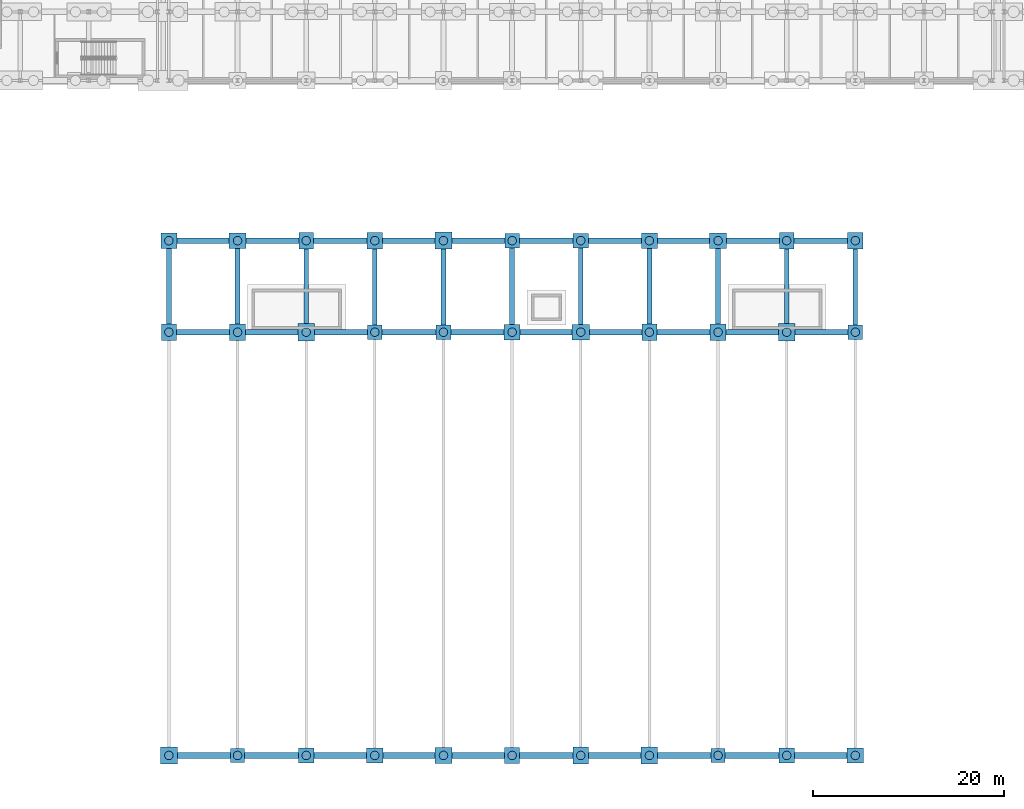
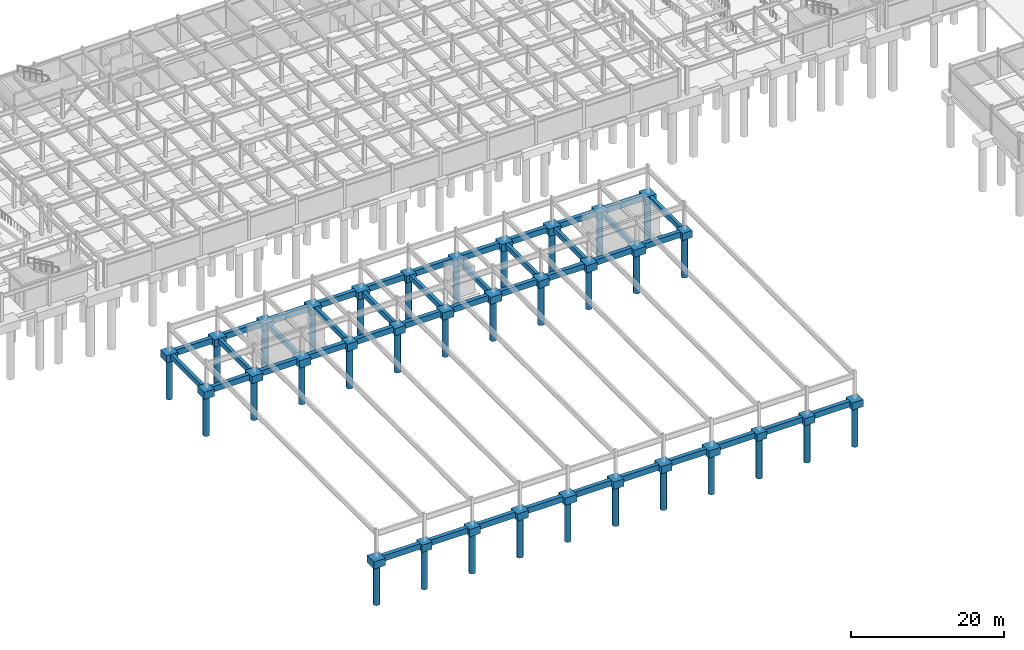
# One storey, part 1 of 54: 74 footings, 33 piles.
"""IFC4 building model written with IfcOpenShell, lengths in metres."""

from ifc_helpers import new_model, si_unit, direction, frame, origin, origin_2d, place, context, subcontext, project, spatial, polyline, rectangle, circle, outline, extrude, material, material_profile, profile_set, type_object, element, save


model = new_model("IFC4")

# Units and contexts
model_context = context("Model", 3, precision=1e-05, world=origin(), true_north=direction((0.0, 1.0)))
body_context = subcontext(model_context, "Body", "Model", "MODEL_VIEW")
ifc_project = project(units=[si_unit("LENGTHUNIT", "METRE"), si_unit("AREAUNIT", "SQUARE_METRE"), si_unit("VOLUMEUNIT", "CUBIC_METRE"), si_unit("PLANEANGLEUNIT", "RADIAN"), si_unit("MASSUNIT", "GRAM", prefix="KILO")], contexts=[model_context])

# Site, building, storey
site_placement = place(None, origin())
site = spatial("IfcSite", under=ifc_project, at=site_placement, CompositionType="ELEMENT")
building_placement = place(site_placement, origin())
building = spatial("IfcBuilding", under=site, at=building_placement, Name="Vaelcorin Mobility Hub", CompositionType="ELEMENT")
storey_placement = place(building_placement, frame((0.0, 0.0, -4.5)))
storey = spatial("IfcBuildingStorey", under=building, at=storey_placement, Name="B1", CompositionType="ELEMENT", Elevation=-4.5)

# Footings
ifc_material = material(Name="Concrete f'c 40 MPa", Category="concrete")
footing_type_1 = type_object("IfcFootingType", Name="FB-500X800", PredefinedType="FOOTING_BEAM", material=ifc_material)
footing_1_placement = place(storey_placement, frame((0.0, 0.0, -0.800048828125)))
element("IfcFooting", 1, at=footing_1_placement, inside=storey, type_object=footing_type_1, Name="Foundation Tie Beam FB-Y-273", PredefinedType="FOOTING_BEAM", context=body_context, shape_type="SweptSolid", body=[
    extrude(outline(polyline([(35.75, 51.25), (36.25, 51.25), (36.25, 59.199951171875), (35.75, 59.199951171875), (35.75, 51.25)])), origin(), (0.0, 0.0, 1.0), 0.800048828125),
])
footing_2_placement = place(storey_placement, frame((0.0, 0.0, -0.800048828125)))
element("IfcFooting", 2, at=footing_2_placement, inside=storey, type_object=footing_type_1, Name="Foundation Tie Beam FB-Y-280", PredefinedType="FOOTING_BEAM", context=body_context, shape_type="SweptSolid", body=[
    extrude(outline(polyline([(42.949951171875, 51.27490234375), (43.449951171875, 51.27490234375), (43.449951171875, 59.175048828125), (42.949951171875, 59.175048828125), (42.949951171875, 51.27490234375)])), origin(), (0.0, 0.0, 1.0), 0.800048828125),
])
footing_3_placement = place(storey_placement, frame((0.0, 0.0, -0.800048828125)))
element("IfcFooting", 3, at=footing_3_placement, inside=storey, type_object=footing_type_1, Name="Foundation Tie Beam FB-Y-287", PredefinedType="FOOTING_BEAM", context=body_context, shape_type="SweptSolid", body=[
    extrude(outline(polyline([(50.14990234375, 51.300048828125), (50.64990234375, 51.300048828125), (50.64990234375, 59.14990234375), (50.14990234375, 59.14990234375), (50.14990234375, 51.300048828125)])), origin(), (0.0, 0.0, 1.0), 0.800048828125),
])
footing_4_placement = place(storey_placement, frame((0.0, 0.0, -0.800048828125)))
element("IfcFooting", 4, at=footing_4_placement, inside=storey, type_object=footing_type_1, Name="Foundation Tie Beam FB-Y-294", PredefinedType="FOOTING_BEAM", context=body_context, shape_type="SweptSolid", body=[
    extrude(outline(polyline([(57.35009765625, 51.14990234375), (57.85009765625, 51.14990234375), (57.85009765625, 59.125), (57.35009765625, 59.125), (57.35009765625, 51.14990234375)])), origin(), (0.0, 0.0, 1.0), 0.800048828125),
])
footing_5_placement = place(storey_placement, frame((0.0, 0.0, -0.800048828125)))
element("IfcFooting", 5, at=footing_5_placement, inside=storey, type_object=footing_type_1, Name="Foundation Tie Beam FB-Y-301", PredefinedType="FOOTING_BEAM", context=body_context, shape_type="SweptSolid", body=[
    extrude(outline(polyline([(64.550048828125, 51.175048828125), (65.050048828125, 51.175048828125), (65.050048828125, 59.10009765625), (64.550048828125, 59.10009765625), (64.550048828125, 51.175048828125)])), origin(), (0.0, 0.0, 1.0), 0.800048828125),
])
footing_6_placement = place(storey_placement, frame((0.0, 0.0, -0.800048828125)))
element("IfcFooting", 6, at=footing_6_placement, inside=storey, type_object=footing_type_1, Name="Foundation Tie Beam FB-Y-308", PredefinedType="FOOTING_BEAM", context=body_context, shape_type="SweptSolid", body=[
    extrude(outline(polyline([(71.75, 51.199951171875), (72.25, 51.199951171875), (72.25, 59.25), (71.75, 59.25), (71.75, 51.199951171875)])), origin(), (0.0, 0.0, 1.0), 0.800048828125),
])
footing_7_placement = place(storey_placement, frame((0.0, 0.0, -0.800048828125)))
element("IfcFooting", 7, at=footing_7_placement, inside=storey, type_object=footing_type_1, Name="Foundation Tie Beam FB-Y-315", PredefinedType="FOOTING_BEAM", context=body_context, shape_type="SweptSolid", body=[
    extrude(outline(polyline([(78.949951171875, 51.22509765625), (79.449951171875, 51.22509765625), (79.449951171875, 59.22509765625), (78.949951171875, 59.22509765625), (78.949951171875, 51.22509765625)])), origin(), (0.0, 0.0, 1.0), 0.800048828125),
])
footing_8_placement = place(storey_placement, frame((0.0, 0.0, -0.800048828125)))
element("IfcFooting", 8, at=footing_8_placement, inside=storey, type_object=footing_type_1, Name="Foundation Tie Beam FB-Y-322", PredefinedType="FOOTING_BEAM", context=body_context, shape_type="SweptSolid", body=[
    extrude(outline(polyline([(86.14990234375, 51.25), (86.64990234375, 51.25), (86.64990234375, 59.199951171875), (86.14990234375, 59.199951171875), (86.14990234375, 51.25)])), origin(), (0.0, 0.0, 1.0), 0.800048828125),
])
footing_9_placement = place(storey_placement, frame((0.0, 0.0, -0.800048828125)))
element("IfcFooting", 9, at=footing_9_placement, inside=storey, type_object=footing_type_1, Name="Foundation Tie Beam FB-Y-329", PredefinedType="FOOTING_BEAM", context=body_context, shape_type="SweptSolid", body=[
    extrude(outline(polyline([(93.35009765625, 51.27490234375), (93.85009765625, 51.27490234375), (93.85009765625, 59.175048828125), (93.35009765625, 59.175048828125), (93.35009765625, 51.27490234375)])), origin(), (0.0, 0.0, 1.0), 0.800048828125),
])
footing_10_placement = place(storey_placement, frame((0.0, 0.0, -0.800048828125)))
element("IfcFooting", 10, at=footing_10_placement, inside=storey, type_object=footing_type_1, Name="Foundation Tie Beam FB-Y-336", PredefinedType="FOOTING_BEAM", context=body_context, shape_type="SweptSolid", body=[
    extrude(outline(polyline([(100.550048828125, 51.300048828125), (101.050048828125, 51.300048828125), (101.050048828125, 59.14990234375), (100.550048828125, 59.14990234375), (100.550048828125, 51.300048828125)])), origin(), (0.0, 0.0, 1.0), 0.800048828125),
])
footing_11_placement = place(storey_placement, frame((0.0, 0.0, -0.800048828125)))
element("IfcFooting", 11, at=footing_11_placement, inside=storey, type_object=footing_type_1, Name="Foundation Tie Beam FB-Y-343", PredefinedType="FOOTING_BEAM", context=body_context, shape_type="SweptSolid", body=[
    extrude(outline(polyline([(107.75, 51.14990234375), (108.25, 51.14990234375), (108.25, 59.125), (107.75, 59.125), (107.75, 51.14990234375)])), origin(), (0.0, 0.0, 1.0), 0.800048828125),
])
footing_type_2 = type_object("IfcFootingType", Name="FB-600X900", PredefinedType="FOOTING_BEAM", material=ifc_material)
footing_12_placement = place(storey_placement, frame((0.0, 0.0, -0.89990234375)))
element("IfcFooting", 12, at=footing_12_placement, inside=storey, type_object=footing_type_2, Name="Foundation Tie Beam FB-X-164", PredefinedType="FOOTING_BEAM", context=body_context, shape_type="SweptSolid", body=[
    extrude(outline(polyline([(36.875, 5.699951171875), (42.449951171875, 5.699951171875), (42.449951171875, 6.300048828125), (36.875, 6.300048828125), (36.875, 5.699951171875)])), origin(), (0.0, 0.0, 1.0), 0.89990234375),
])
footing_13_placement = place(storey_placement, frame((0.0, 0.0, -0.89990234375)))
element("IfcFooting", 13, at=footing_13_placement, inside=storey, type_object=footing_type_2, Name="Foundation Tie Beam FB-X-165", PredefinedType="FOOTING_BEAM", context=body_context, shape_type="SweptSolid", body=[
    extrude(outline(polyline([(43.949951171875, 5.699951171875), (49.60009765625, 5.699951171875), (49.60009765625, 6.300048828125), (43.949951171875, 6.300048828125), (43.949951171875, 5.699951171875)])), origin(), (0.0, 0.0, 1.0), 0.89990234375),
])
footing_14_placement = place(storey_placement, frame((0.0, 0.0, -0.89990234375)))
element("IfcFooting", 14, at=footing_14_placement, inside=storey, type_object=footing_type_2, Name="Foundation Tie Beam FB-X-166", PredefinedType="FOOTING_BEAM", context=body_context, shape_type="SweptSolid", body=[
    extrude(outline(polyline([(51.199951171875, 5.699951171875), (56.75, 5.699951171875), (56.75, 6.300048828125), (51.199951171875, 6.300048828125), (51.199951171875, 5.699951171875)])), origin(), (0.0, 0.0, 1.0), 0.89990234375),
])
footing_15_placement = place(storey_placement, frame((0.0, 0.0, -0.89990234375)))
element("IfcFooting", 15, at=footing_15_placement, inside=storey, type_object=footing_type_2, Name="Foundation Tie Beam FB-X-167", PredefinedType="FOOTING_BEAM", context=body_context, shape_type="SweptSolid", body=[
    extrude(outline(polyline([(58.449951171875, 5.699951171875), (63.89990234375, 5.699951171875), (63.89990234375, 6.300048828125), (58.449951171875, 6.300048828125), (58.449951171875, 5.699951171875)])), origin(), (0.0, 0.0, 1.0), 0.89990234375),
])
footing_16_placement = place(storey_placement, frame((0.0, 0.0, -0.89990234375)))
element("IfcFooting", 16, at=footing_16_placement, inside=storey, type_object=footing_type_2, Name="Foundation Tie Beam FB-X-168", PredefinedType="FOOTING_BEAM", context=body_context, shape_type="SweptSolid", body=[
    extrude(outline(polyline([(65.699951171875, 5.699951171875), (71.22509765625, 5.699951171875), (71.22509765625, 6.300048828125), (65.699951171875, 6.300048828125), (65.699951171875, 5.699951171875)])), origin(), (0.0, 0.0, 1.0), 0.89990234375),
])
footing_17_placement = place(storey_placement, frame((0.0, 0.0, -0.89990234375)))
element("IfcFooting", 17, at=footing_17_placement, inside=storey, type_object=footing_type_2, Name="Foundation Tie Beam FB-X-169", PredefinedType="FOOTING_BEAM", context=body_context, shape_type="SweptSolid", body=[
    extrude(outline(polyline([(72.77490234375, 5.699951171875), (78.375, 5.699951171875), (78.375, 6.300048828125), (72.77490234375, 6.300048828125), (72.77490234375, 5.699951171875)])), origin(), (0.0, 0.0, 1.0), 0.89990234375),
])
footing_18_placement = place(storey_placement, frame((0.0, 0.0, -0.89990234375)))
element("IfcFooting", 18, at=footing_18_placement, inside=storey, type_object=footing_type_2, Name="Foundation Tie Beam FB-X-170", PredefinedType="FOOTING_BEAM", context=body_context, shape_type="SweptSolid", body=[
    extrude(outline(polyline([(80.02490234375, 5.699951171875), (85.52490234375, 5.699951171875), (85.52490234375, 6.300048828125), (80.02490234375, 6.300048828125), (80.02490234375, 5.699951171875)])), origin(), (0.0, 0.0, 1.0), 0.89990234375),
])
footing_19_placement = place(storey_placement, frame((0.0, 0.0, -0.89990234375)))
element("IfcFooting", 19, at=footing_19_placement, inside=storey, type_object=footing_type_2, Name="Foundation Tie Beam FB-X-171", PredefinedType="FOOTING_BEAM", context=body_context, shape_type="SweptSolid", body=[
    extrude(outline(polyline([(87.27490234375, 5.699951171875), (92.85009765625, 5.699951171875), (92.85009765625, 6.300048828125), (87.27490234375, 6.300048828125), (87.27490234375, 5.699951171875)])), origin(), (0.0, 0.0, 1.0), 0.89990234375),
])
footing_20_placement = place(storey_placement, frame((0.0, 0.0, -0.89990234375)))
element("IfcFooting", 20, at=footing_20_placement, inside=storey, type_object=footing_type_2, Name="Foundation Tie Beam FB-X-172", PredefinedType="FOOTING_BEAM", context=body_context, shape_type="SweptSolid", body=[
    extrude(outline(polyline([(94.35009765625, 5.699951171875), (100.0, 5.699951171875), (100.0, 6.300048828125), (94.35009765625, 6.300048828125), (94.35009765625, 5.699951171875)])), origin(), (0.0, 0.0, 1.0), 0.89990234375),
])
footing_21_placement = place(storey_placement, frame((0.0, 0.0, -0.89990234375)))
element("IfcFooting", 21, at=footing_21_placement, inside=storey, type_object=footing_type_2, Name="Foundation Tie Beam FB-X-173", PredefinedType="FOOTING_BEAM", context=body_context, shape_type="SweptSolid", body=[
    extrude(outline(polyline([(101.60009765625, 5.699951171875), (107.14990234375, 5.699951171875), (107.14990234375, 6.300048828125), (101.60009765625, 6.300048828125), (101.60009765625, 5.699951171875)])), origin(), (0.0, 0.0, 1.0), 0.89990234375),
])
footing_22_placement = place(storey_placement, frame((0.0, 0.0, -0.89990234375)))
element("IfcFooting", 22, at=footing_22_placement, inside=storey, type_object=footing_type_2, Name="Foundation Tie Beam FB-X-181", PredefinedType="FOOTING_BEAM", context=body_context, shape_type="SweptSolid", body=[
    extrude(outline(polyline([(36.77490234375, 50.10009765625), (42.375, 50.10009765625), (42.375, 50.699951171875), (36.77490234375, 50.699951171875), (36.77490234375, 50.10009765625)])), origin(), (0.0, 0.0, 1.0), 0.89990234375),
])
footing_23_placement = place(storey_placement, frame((0.0, 0.0, -0.89990234375)))
element("IfcFooting", 23, at=footing_23_placement, inside=storey, type_object=footing_type_2, Name="Foundation Tie Beam FB-X-182", PredefinedType="FOOTING_BEAM", context=body_context, shape_type="SweptSolid", body=[
    extrude(outline(polyline([(44.02490234375, 50.10009765625), (49.52490234375, 50.10009765625), (49.52490234375, 50.699951171875), (44.02490234375, 50.699951171875), (44.02490234375, 50.10009765625)])), origin(), (0.0, 0.0, 1.0), 0.89990234375),
])
footing_24_placement = place(storey_placement, frame((0.0, 0.0, -0.89990234375)))
element("IfcFooting", 24, at=footing_24_placement, inside=storey, type_object=footing_type_2, Name="Foundation Tie Beam FB-X-183", PredefinedType="FOOTING_BEAM", context=body_context, shape_type="SweptSolid", body=[
    extrude(outline(polyline([(51.27490234375, 50.10009765625), (56.85009765625, 50.10009765625), (56.85009765625, 50.699951171875), (51.27490234375, 50.699951171875), (51.27490234375, 50.10009765625)])), origin(), (0.0, 0.0, 1.0), 0.89990234375),
])
footing_25_placement = place(storey_placement, frame((0.0, 0.0, -0.89990234375)))
element("IfcFooting", 25, at=footing_25_placement, inside=storey, type_object=footing_type_2, Name="Foundation Tie Beam FB-X-184", PredefinedType="FOOTING_BEAM", context=body_context, shape_type="SweptSolid", body=[
    extrude(outline(polyline([(58.35009765625, 50.10009765625), (64.0, 50.10009765625), (64.0, 50.699951171875), (58.35009765625, 50.699951171875), (58.35009765625, 50.10009765625)])), origin(), (0.0, 0.0, 1.0), 0.89990234375),
])
footing_26_placement = place(storey_placement, frame((0.0, 0.0, -0.89990234375)))
element("IfcFooting", 26, at=footing_26_placement, inside=storey, type_object=footing_type_2, Name="Foundation Tie Beam FB-X-185", PredefinedType="FOOTING_BEAM", context=body_context, shape_type="SweptSolid", body=[
    extrude(outline(polyline([(65.60009765625, 50.10009765625), (71.14990234375, 50.10009765625), (71.14990234375, 50.699951171875), (65.60009765625, 50.699951171875), (65.60009765625, 50.10009765625)])), origin(), (0.0, 0.0, 1.0), 0.89990234375),
])
footing_27_placement = place(storey_placement, frame((0.0, 0.0, -0.89990234375)))
element("IfcFooting", 27, at=footing_27_placement, inside=storey, type_object=footing_type_2, Name="Foundation Tie Beam FB-X-186", PredefinedType="FOOTING_BEAM", context=body_context, shape_type="SweptSolid", body=[
    extrude(outline(polyline([(72.85009765625, 50.10009765625), (78.300048828125, 50.10009765625), (78.300048828125, 50.699951171875), (72.85009765625, 50.699951171875), (72.85009765625, 50.10009765625)])), origin(), (0.0, 0.0, 1.0), 0.89990234375),
])
footing_28_placement = place(storey_placement, frame((0.0, 0.0, -0.89990234375)))
element("IfcFooting", 28, at=footing_28_placement, inside=storey, type_object=footing_type_2, Name="Foundation Tie Beam FB-X-187", PredefinedType="FOOTING_BEAM", context=body_context, shape_type="SweptSolid", body=[
    extrude(outline(polyline([(80.10009765625, 50.10009765625), (85.625, 50.10009765625), (85.625, 50.699951171875), (80.10009765625, 50.699951171875), (80.10009765625, 50.10009765625)])), origin(), (0.0, 0.0, 1.0), 0.89990234375),
])
footing_29_placement = place(storey_placement, frame((0.0, 0.0, -0.89990234375)))
element("IfcFooting", 29, at=footing_29_placement, inside=storey, type_object=footing_type_2, Name="Foundation Tie Beam FB-X-188", PredefinedType="FOOTING_BEAM", context=body_context, shape_type="SweptSolid", body=[
    extrude(outline(polyline([(87.175048828125, 50.10009765625), (92.77490234375, 50.10009765625), (92.77490234375, 50.699951171875), (87.175048828125, 50.699951171875), (87.175048828125, 50.10009765625)])), origin(), (0.0, 0.0, 1.0), 0.89990234375),
])
footing_30_placement = place(storey_placement, frame((0.0, 0.0, -0.89990234375)))
element("IfcFooting", 30, at=footing_30_placement, inside=storey, type_object=footing_type_2, Name="Foundation Tie Beam FB-X-189", PredefinedType="FOOTING_BEAM", context=body_context, shape_type="SweptSolid", body=[
    extrude(outline(polyline([(94.425048828125, 50.10009765625), (99.925048828125, 50.10009765625), (99.925048828125, 50.699951171875), (94.425048828125, 50.699951171875), (94.425048828125, 50.10009765625)])), origin(), (0.0, 0.0, 1.0), 0.89990234375),
])
footing_31_placement = place(storey_placement, frame((0.0, 0.0, -0.89990234375)))
element("IfcFooting", 31, at=footing_31_placement, inside=storey, type_object=footing_type_2, Name="Foundation Tie Beam FB-X-190", PredefinedType="FOOTING_BEAM", context=body_context, shape_type="SweptSolid", body=[
    extrude(outline(polyline([(101.675048828125, 50.10009765625), (107.25, 50.10009765625), (107.25, 50.699951171875), (101.675048828125, 50.699951171875), (101.675048828125, 50.10009765625)])), origin(), (0.0, 0.0, 1.0), 0.89990234375),
])
footing_32_placement = place(storey_placement, frame((0.0, 0.0, -0.89990234375)))
element("IfcFooting", 32, at=footing_32_placement, inside=storey, type_object=footing_type_2, Name="Foundation Tie Beam FB-X-191", PredefinedType="FOOTING_BEAM", context=body_context, shape_type="SweptSolid", body=[
    extrude(outline(polyline([(36.85009765625, 59.699951171875), (42.300048828125, 59.699951171875), (42.300048828125, 60.300048828125), (36.85009765625, 60.300048828125), (36.85009765625, 59.699951171875)])), origin(), (0.0, 0.0, 1.0), 0.89990234375),
])
footing_33_placement = place(storey_placement, frame((0.0, 0.0, -0.89990234375)))
element("IfcFooting", 33, at=footing_33_placement, inside=storey, type_object=footing_type_2, Name="Foundation Tie Beam FB-X-192", PredefinedType="FOOTING_BEAM", context=body_context, shape_type="SweptSolid", body=[
    extrude(outline(polyline([(44.10009765625, 59.699951171875), (49.625, 59.699951171875), (49.625, 60.300048828125), (44.10009765625, 60.300048828125), (44.10009765625, 59.699951171875)])), origin(), (0.0, 0.0, 1.0), 0.89990234375),
])
footing_34_placement = place(storey_placement, frame((0.0, 0.0, -0.89990234375)))
element("IfcFooting", 34, at=footing_34_placement, inside=storey, type_object=footing_type_2, Name="Foundation Tie Beam FB-X-193", PredefinedType="FOOTING_BEAM", context=body_context, shape_type="SweptSolid", body=[
    extrude(outline(polyline([(51.175048828125, 59.699951171875), (56.77490234375, 59.699951171875), (56.77490234375, 60.300048828125), (51.175048828125, 60.300048828125), (51.175048828125, 59.699951171875)])), origin(), (0.0, 0.0, 1.0), 0.89990234375),
])
footing_35_placement = place(storey_placement, frame((0.0, 0.0, -0.89990234375)))
element("IfcFooting", 35, at=footing_35_placement, inside=storey, type_object=footing_type_2, Name="Foundation Tie Beam FB-X-194", PredefinedType="FOOTING_BEAM", context=body_context, shape_type="SweptSolid", body=[
    extrude(outline(polyline([(58.425048828125, 59.699951171875), (63.925048828125, 59.699951171875), (63.925048828125, 60.300048828125), (58.425048828125, 60.300048828125), (58.425048828125, 59.699951171875)])), origin(), (0.0, 0.0, 1.0), 0.89990234375),
])
footing_36_placement = place(storey_placement, frame((0.0, 0.0, -0.89990234375)))
element("IfcFooting", 36, at=footing_36_placement, inside=storey, type_object=footing_type_2, Name="Foundation Tie Beam FB-X-195", PredefinedType="FOOTING_BEAM", context=body_context, shape_type="SweptSolid", body=[
    extrude(outline(polyline([(65.675048828125, 59.699951171875), (71.25, 59.699951171875), (71.25, 60.300048828125), (65.675048828125, 60.300048828125), (65.675048828125, 59.699951171875)])), origin(), (0.0, 0.0, 1.0), 0.89990234375),
])
footing_37_placement = place(storey_placement, frame((0.0, 0.0, -0.89990234375)))
element("IfcFooting", 37, at=footing_37_placement, inside=storey, type_object=footing_type_2, Name="Foundation Tie Beam FB-X-196", PredefinedType="FOOTING_BEAM", context=body_context, shape_type="SweptSolid", body=[
    extrude(outline(polyline([(72.75, 59.699951171875), (78.39990234375, 59.699951171875), (78.39990234375, 60.300048828125), (72.75, 60.300048828125), (72.75, 59.699951171875)])), origin(), (0.0, 0.0, 1.0), 0.89990234375),
])
footing_38_placement = place(storey_placement, frame((0.0, 0.0, -0.89990234375)))
element("IfcFooting", 38, at=footing_38_placement, inside=storey, type_object=footing_type_2, Name="Foundation Tie Beam FB-X-197", PredefinedType="FOOTING_BEAM", context=body_context, shape_type="SweptSolid", body=[
    extrude(outline(polyline([(80.0, 59.699951171875), (85.550048828125, 59.699951171875), (85.550048828125, 60.300048828125), (80.0, 60.300048828125), (80.0, 59.699951171875)])), origin(), (0.0, 0.0, 1.0), 0.89990234375),
])
footing_39_placement = place(storey_placement, frame((0.0, 0.0, -0.89990234375)))
element("IfcFooting", 39, at=footing_39_placement, inside=storey, type_object=footing_type_2, Name="Foundation Tie Beam FB-X-198", PredefinedType="FOOTING_BEAM", context=body_context, shape_type="SweptSolid", body=[
    extrude(outline(polyline([(87.25, 59.699951171875), (92.699951171875, 59.699951171875), (92.699951171875, 60.300048828125), (87.25, 60.300048828125), (87.25, 59.699951171875)])), origin(), (0.0, 0.0, 1.0), 0.89990234375),
])
footing_40_placement = place(storey_placement, frame((0.0, 0.0, -0.89990234375)))
element("IfcFooting", 40, at=footing_40_placement, inside=storey, type_object=footing_type_2, Name="Foundation Tie Beam FB-X-199", PredefinedType="FOOTING_BEAM", context=body_context, shape_type="SweptSolid", body=[
    extrude(outline(polyline([(94.5, 59.699951171875), (100.02490234375, 59.699951171875), (100.02490234375, 60.300048828125), (94.5, 60.300048828125), (94.5, 59.699951171875)])), origin(), (0.0, 0.0, 1.0), 0.89990234375),
])
footing_41_placement = place(storey_placement, frame((0.0, 0.0, -0.89990234375)))
element("IfcFooting", 41, at=footing_41_placement, inside=storey, type_object=footing_type_2, Name="Foundation Tie Beam FB-X-200", PredefinedType="FOOTING_BEAM", context=body_context, shape_type="SweptSolid", body=[
    extrude(outline(polyline([(101.574951171875, 59.699951171875), (107.175048828125, 59.699951171875), (107.175048828125, 60.300048828125), (101.574951171875, 60.300048828125), (101.574951171875, 59.699951171875)])), origin(), (0.0, 0.0, 1.0), 0.89990234375),
])
footing_type_3 = type_object("IfcFootingType", Name="FTG-PC-15", PredefinedType="PILE_CAP", material=ifc_material)
for number, where, z_axis, x_axis, name in (
    (42, (36.0, 6.0, -1.14990234375), (0.0, 0.0, 1.0), (1.0, 0.0, 0.0), "Pile Cap PC-15 025"),
    (43, (50.39990234375, 50.39990234375, -1.14990234375), (0.0, 0.0, 1.0), (1.0, 0.0, 0.0), "Pile Cap PC-15 039"),
    (44, (64.800048828125, 60.0, -1.14990234375), (0.0, 0.0, 1.0), (1.0, 0.0, 0.0), "Pile Cap PC-15 060"),
    (45, (86.39990234375, 6.0, -1.14990234375), (0.0, 0.0, 1.0), (1.0, 0.0, 0.0), "Pile Cap PC-15 088"),
    (46, (100.800048828125, 50.39990234375, -1.14990234375), (0.0, 0.0, 1.0), (1.0, 0.0, 0.0), "Pile Cap PC-15 109"),
):
    element("IfcFooting", number, at=place(storey_placement, frame(where, z_axis=z_axis, x_axis=x_axis)), inside=storey, type_object=footing_type_3, Name=name, PredefinedType="PILE_CAP", context=body_context, shape_type="SweptSolid", body=[
        extrude(rectangle(XDim=1.75, YDim=1.800048828125, at=origin_2d()), origin(), (0.0, 0.0, 1.0), 1.14990234375),
    ])
footing_type_4 = type_object("IfcFootingType", Name="FTG-PC-16", PredefinedType="PILE_CAP", material=ifc_material)
for number, where, z_axis, x_axis, name in (
    (47, (36.0, 50.39990234375, -1.14990234375), (0.0, 0.0, 1.0), (1.0, 0.0, 0.0), "Pile Cap PC-16 026"),
    (48, (50.39990234375, 60.0, -1.14990234375), (0.0, 0.0, 1.0), (1.0, 0.0, 0.0), "Pile Cap PC-16 040"),
    (49, (72.0, 6.0, -1.14990234375), (0.0, 0.0, 1.0), (1.0, 0.0, 0.0), "Pile Cap PC-16 068"),
    (50, (86.39990234375, 50.39990234375, -1.14990234375), (0.0, 0.0, 1.0), (1.0, 0.0, 0.0), "Pile Cap PC-16 089"),
    (51, (100.800048828125, 60.0, -1.14990234375), (0.0, 0.0, 1.0), (1.0, 0.0, 0.0), "Pile Cap PC-16 110"),
):
    element("IfcFooting", number, at=place(storey_placement, frame(where, z_axis=z_axis, x_axis=x_axis)), inside=storey, type_object=footing_type_4, Name=name, PredefinedType="PILE_CAP", context=body_context, shape_type="SweptSolid", body=[
        extrude(rectangle(XDim=1.550048828125, YDim=1.699951171875, at=origin_2d()), origin(), (0.0, 0.0, 1.0), 1.14990234375),
    ])
footing_type_5 = type_object("IfcFootingType", Name="FTG-PC-17", PredefinedType="PILE_CAP", material=ifc_material)
for number, where, z_axis, x_axis, name in (
    (52, (36.0, 60.0, -1.14990234375), (0.0, 0.0, 1.0), (1.0, 0.0, 0.0), "Pile Cap PC-17 027"),
    (53, (57.60009765625, 6.0, -1.14990234375), (0.0, 0.0, 1.0), (1.0, 0.0, 0.0), "Pile Cap PC-17 048"),
    (54, (72.0, 50.39990234375, -1.14990234375), (0.0, 0.0, 1.0), (1.0, 0.0, 0.0), "Pile Cap PC-17 069"),
    (55, (86.39990234375, 60.0, -1.14990234375), (0.0, 0.0, 1.0), (1.0, 0.0, 0.0), "Pile Cap PC-17 090"),
    (56, (108.0, 6.0, -1.14990234375), (0.0, 0.0, 1.0), (1.0, 0.0, 0.0), "Pile Cap PC-17 118"),
):
    element("IfcFooting", number, at=place(storey_placement, frame(where, z_axis=z_axis, x_axis=x_axis)), inside=storey, type_object=footing_type_5, Name=name, PredefinedType="PILE_CAP", context=body_context, shape_type="SweptSolid", body=[
        extrude(rectangle(XDim=1.699951171875, YDim=1.60009765625, at=origin_2d()), origin(), (0.0, 0.0, 1.0), 1.14990234375),
    ])
footing_type_6 = type_object("IfcFootingType", Name="FTG-PC-18", PredefinedType="PILE_CAP", material=ifc_material)
for number, where, z_axis, x_axis, name in (
    (57, (43.199951171875, 6.0, -1.14990234375), (0.0, 0.0, 1.0), (1.0, 0.0, 0.0), "Pile Cap PC-18 028"),
    (58, (57.60009765625, 50.39990234375, -1.14990234375), (0.0, 0.0, 1.0), (1.0, 0.0, 0.0), "Pile Cap PC-18 049"),
    (59, (72.0, 60.0, -1.14990234375), (0.0, 0.0, 1.0), (1.0, 0.0, 0.0), "Pile Cap PC-18 070"),
    (60, (93.60009765625, 6.0, -1.14990234375), (0.0, 0.0, 1.0), (1.0, 0.0, 0.0), "Pile Cap PC-18 098"),
    (61, (108.0, 50.39990234375, -1.14990234375), (0.0, 0.0, 1.0), (1.0, 0.0, 0.0), "Pile Cap PC-18 119"),
):
    element("IfcFooting", number, at=place(storey_placement, frame(where, z_axis=z_axis, x_axis=x_axis)), inside=storey, type_object=footing_type_6, Name=name, PredefinedType="PILE_CAP", context=body_context, shape_type="SweptSolid", body=[
        extrude(rectangle(XDim=1.5, YDim=1.5, at=origin_2d()), origin(), (0.0, 0.0, 1.0), 1.14990234375),
    ])
footing_type_7 = type_object("IfcFootingType", Name="FTG-PC-19", PredefinedType="PILE_CAP", material=ifc_material)
for number, where, z_axis, x_axis, name in (
    (62, (43.199951171875, 50.39990234375, -1.14990234375), (0.0, 0.0, 1.0), (1.0, 0.0, 0.0), "Pile Cap PC-19 029"),
    (63, (57.60009765625, 60.0, -1.14990234375), (0.0, 0.0, 1.0), (1.0, 0.0, 0.0), "Pile Cap PC-19 050"),
    (64, (79.199951171875, 6.0, -1.14990234375), (0.0, 0.0, 1.0), (1.0, 0.0, 0.0), "Pile Cap PC-19 078"),
    (65, (93.60009765625, 50.39990234375, -1.14990234375), (0.0, 0.0, 1.0), (1.0, 0.0, 0.0), "Pile Cap PC-19 099"),
    (66, (108.0, 60.0, -1.14990234375), (0.0, 0.0, 1.0), (1.0, 0.0, 0.0), "Pile Cap PC-19 120"),
):
    element("IfcFooting", number, at=place(storey_placement, frame(where, z_axis=z_axis, x_axis=x_axis)), inside=storey, type_object=footing_type_7, Name=name, PredefinedType="PILE_CAP", context=body_context, shape_type="SweptSolid", body=[
        extrude(rectangle(XDim=1.64990234375, YDim=1.75, at=origin_2d()), origin(), (0.0, 0.0, 1.0), 1.14990234375),
    ])
footing_type_8 = type_object("IfcFootingType", Name="FTG-PC-20", PredefinedType="PILE_CAP", material=ifc_material)
for number, where, z_axis, x_axis, name in (
    (67, (43.199951171875, 60.0, -1.14990234375), (0.0, 0.0, 1.0), (1.0, 0.0, 0.0), "Pile Cap PC-20 030"),
    (68, (64.800048828125, 6.0, -1.14990234375), (0.0, 0.0, 1.0), (1.0, 0.0, 0.0), "Pile Cap PC-20 058"),
    (69, (79.199951171875, 50.39990234375, -1.14990234375), (0.0, 0.0, 1.0), (1.0, 0.0, 0.0), "Pile Cap PC-20 079"),
    (70, (93.60009765625, 60.0, -1.14990234375), (0.0, 0.0, 1.0), (1.0, 0.0, 0.0), "Pile Cap PC-20 100"),
):
    element("IfcFooting", number, at=place(storey_placement, frame(where, z_axis=z_axis, x_axis=x_axis)), inside=storey, type_object=footing_type_8, Name=name, PredefinedType="PILE_CAP", context=body_context, shape_type="SweptSolid", body=[
        extrude(rectangle(XDim=1.800048828125, YDim=1.64990234375, at=origin_2d()), origin(), (0.0, 0.0, 1.0), 1.14990234375),
    ])
footing_type_9 = type_object("IfcFootingType", Name="FTG-PC-22", PredefinedType="PILE_CAP", material=ifc_material)
for number, where, z_axis, x_axis, name in (
    (71, (50.39990234375, 6.0, -1.14990234375), (0.0, 0.0, 1.0), (1.0, 0.0, 0.0), "Pile Cap PC-22 038"),
    (72, (64.800048828125, 50.39990234375, -1.14990234375), (0.0, 0.0, 1.0), (1.0, 0.0, 0.0), "Pile Cap PC-22 059"),
    (73, (79.199951171875, 60.0, -1.14990234375), (0.0, 0.0, 1.0), (1.0, 0.0, 0.0), "Pile Cap PC-22 080"),
    (74, (100.800048828125, 6.0, -1.14990234375), (0.0, 0.0, 1.0), (1.0, 0.0, 0.0), "Pile Cap PC-22 108"),
):
    element("IfcFooting", number, at=place(storey_placement, frame(where, z_axis=z_axis, x_axis=x_axis)), inside=storey, type_object=footing_type_9, Name=name, PredefinedType="PILE_CAP", context=body_context, shape_type="SweptSolid", body=[
        extrude(rectangle(XDim=1.60009765625, YDim=1.550048828125, at=origin_2d()), origin(), (0.0, 0.0, 1.0), 1.14990234375),
    ])

# Piles
ifc_material_profile = material_profile(ifc_material, circle(Radius=0.449951171875, at=origin_2d()), Name="BP-D900")
ifc_profile_set = profile_set([ifc_material_profile], Name="Concrete f'c 40 MPa")
pile_type = type_object("IfcPileType", Name="PILE-D900", PredefinedType="BORED", material=ifc_profile_set)
for number, where, z_axis, x_axis, name in (
    (75, (36.0, 6.0, -1.050048828125), (0.0, 0.0, -1.0), (1.0, 0.0, 0.0), "Bored Pile CAP-025-P1"),
    (76, (36.0, 50.39990234375, -1.050048828125), (0.0, 0.0, -1.0), (1.0, 0.0, 0.0), "Bored Pile CAP-026-P1"),
    (77, (36.0, 60.0, -1.050048828125), (0.0, 0.0, -1.0), (1.0, 0.0, 0.0), "Bored Pile CAP-027-P1"),
    (78, (43.199951171875, 6.0, -1.050048828125), (0.0, 0.0, -1.0), (1.0, 0.0, 0.0), "Bored Pile CAP-028-P1"),
    (79, (43.199951171875, 50.39990234375, -1.050048828125), (0.0, 0.0, -1.0), (1.0, 0.0, 0.0), "Bored Pile CAP-029-P1"),
    (80, (43.199951171875, 60.0, -1.050048828125), (0.0, 0.0, -1.0), (1.0, 0.0, 0.0), "Bored Pile CAP-030-P1"),
    (81, (50.39990234375, 6.0, -1.050048828125), (0.0, 0.0, -1.0), (1.0, 0.0, 0.0), "Bored Pile CAP-038-P1"),
    (82, (50.39990234375, 50.39990234375, -1.050048828125), (0.0, 0.0, -1.0), (1.0, 0.0, 0.0), "Bored Pile CAP-039-P1"),
    (83, (50.39990234375, 60.0, -1.050048828125), (0.0, 0.0, -1.0), (1.0, 0.0, 0.0), "Bored Pile CAP-040-P1"),
    (84, (57.60009765625, 6.0, -1.050048828125), (0.0, 0.0, -1.0), (1.0, 0.0, 0.0), "Bored Pile CAP-048-P1"),
    (85, (57.60009765625, 50.39990234375, -1.050048828125), (0.0, 0.0, -1.0), (1.0, 0.0, 0.0), "Bored Pile CAP-049-P1"),
    (86, (57.60009765625, 60.0, -1.050048828125), (0.0, 0.0, -1.0), (1.0, 0.0, 0.0), "Bored Pile CAP-050-P1"),
    (87, (64.800048828125, 6.0, -1.050048828125), (0.0, 0.0, -1.0), (1.0, 0.0, 0.0), "Bored Pile CAP-058-P1"),
    (88, (64.800048828125, 50.39990234375, -1.050048828125), (0.0, 0.0, -1.0), (1.0, 0.0, 0.0), "Bored Pile CAP-059-P1"),
    (89, (64.800048828125, 60.0, -1.050048828125), (0.0, 0.0, -1.0), (1.0, 0.0, 0.0), "Bored Pile CAP-060-P1"),
    (90, (72.0, 6.0, -1.050048828125), (0.0, 0.0, -1.0), (1.0, 0.0, 0.0), "Bored Pile CAP-068-P1"),
    (91, (72.0, 50.39990234375, -1.050048828125), (0.0, 0.0, -1.0), (1.0, 0.0, 0.0), "Bored Pile CAP-069-P1"),
    (92, (72.0, 60.0, -1.050048828125), (0.0, 0.0, -1.0), (1.0, 0.0, 0.0), "Bored Pile CAP-070-P1"),
    (93, (79.199951171875, 6.0, -1.050048828125), (0.0, 0.0, -1.0), (1.0, 0.0, 0.0), "Bored Pile CAP-078-P1"),
    (94, (79.199951171875, 50.39990234375, -1.050048828125), (0.0, 0.0, -1.0), (1.0, 0.0, 0.0), "Bored Pile CAP-079-P1"),
    (95, (79.199951171875, 60.0, -1.050048828125), (0.0, 0.0, -1.0), (1.0, 0.0, 0.0), "Bored Pile CAP-080-P1"),
    (96, (86.39990234375, 6.0, -1.050048828125), (0.0, 0.0, -1.0), (1.0, 0.0, 0.0), "Bored Pile CAP-088-P1"),
    (97, (86.39990234375, 50.39990234375, -1.050048828125), (0.0, 0.0, -1.0), (1.0, 0.0, 0.0), "Bored Pile CAP-089-P1"),
    (98, (86.39990234375, 60.0, -1.050048828125), (0.0, 0.0, -1.0), (1.0, 0.0, 0.0), "Bored Pile CAP-090-P1"),
    (99, (93.60009765625, 6.0, -1.050048828125), (0.0, 0.0, -1.0), (1.0, 0.0, 0.0), "Bored Pile CAP-098-P1"),
    (100, (93.60009765625, 50.39990234375, -1.050048828125), (0.0, 0.0, -1.0), (1.0, 0.0, 0.0), "Bored Pile CAP-099-P1"),
    (101, (93.60009765625, 60.0, -1.050048828125), (0.0, 0.0, -1.0), (1.0, 0.0, 0.0), "Bored Pile CAP-100-P1"),
    (102, (100.800048828125, 6.0, -1.050048828125), (0.0, 0.0, -1.0), (1.0, 0.0, 0.0), "Bored Pile CAP-108-P1"),
    (103, (100.800048828125, 50.39990234375, -1.050048828125), (0.0, 0.0, -1.0), (1.0, 0.0, 0.0), "Bored Pile CAP-109-P1"),
    (104, (100.800048828125, 60.0, -1.050048828125), (0.0, 0.0, -1.0), (1.0, 0.0, 0.0), "Bored Pile CAP-110-P1"),
    (105, (108.0, 6.0, -1.050048828125), (0.0, 0.0, -1.0), (1.0, 0.0, 0.0), "Bored Pile CAP-118-P1"),
    (106, (108.0, 50.39990234375, -1.050048828125), (0.0, 0.0, -1.0), (1.0, 0.0, 0.0), "Bored Pile CAP-119-P1"),
    (107, (108.0, 60.0, -1.050048828125), (0.0, 0.0, -1.0), (1.0, 0.0, 0.0), "Bored Pile CAP-120-P1"),
):
    element("IfcPile", number, at=place(storey_placement, frame(where, z_axis=z_axis, x_axis=x_axis)), inside=storey, type_object=pile_type, Name=name, PredefinedType="BORED", context=body_context, shape_type="SweptSolid", body=[
        extrude(circle(Radius=0.449951171875, at=origin_2d()), origin(), (0.0, 0.0, 1.0), 6.449951171875),
    ])

save(model, "model.ifc")
